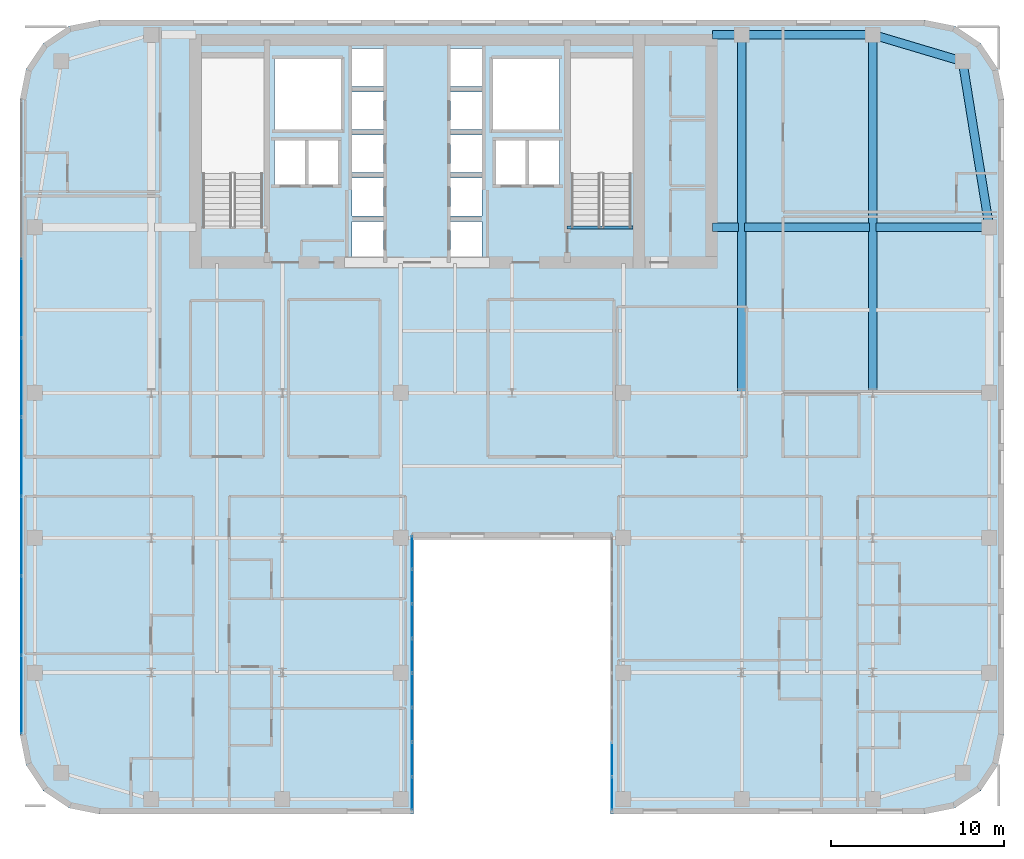
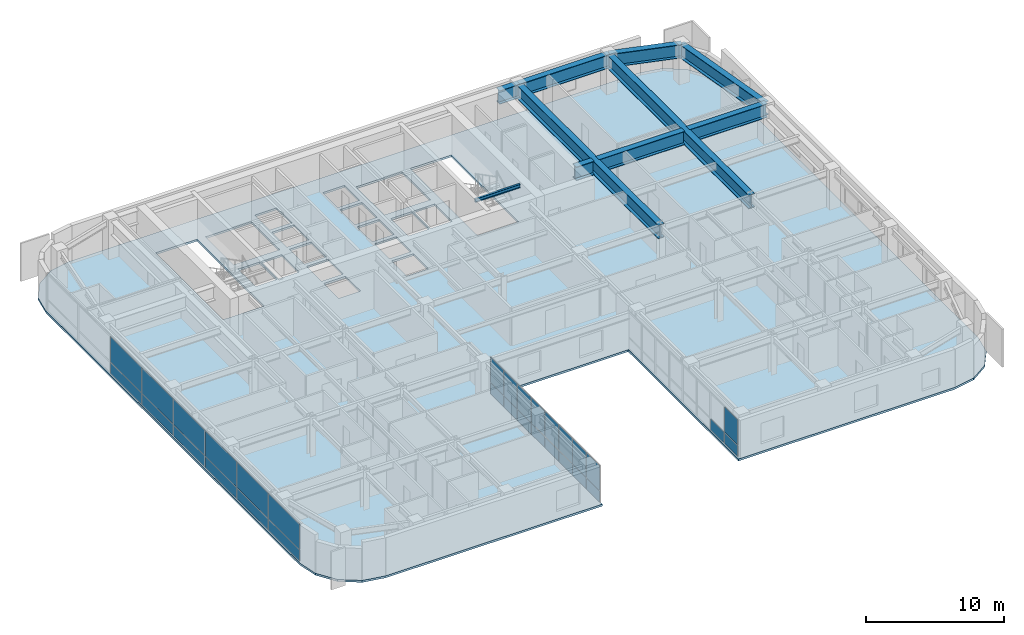
# One storey, part 22 of 30: 31 plates, 10 beams, 1 slab, 3 elements without a shape of their own.
"""IFC4 building model written with IfcOpenShell, lengths in metres."""

from ifc_helpers import new_model, si_unit, direction, frame, origin, origin_2d, place, context, subcontext, project, spatial, polyline, rectangle, i_section, outline, extrude, source, transform, mapped, material, layer, layer_set, material_profile, profile_set, type_object, type_shapes, element, aggregate, save


model = new_model("IFC4")

# Units and contexts
model_context = context("Model", 3, precision=1e-05, world=origin(), true_north=direction((0.0, 1.0)))
body_context = subcontext(model_context, "Body", "Model", "MODEL_VIEW")
ifc_project = project(units=[si_unit("LENGTHUNIT", "METRE"), si_unit("AREAUNIT", "SQUARE_METRE"), si_unit("VOLUMEUNIT", "CUBIC_METRE"), si_unit("PLANEANGLEUNIT", "RADIAN"), si_unit("MASSUNIT", "GRAM", prefix="KILO")], contexts=[model_context])

# Site, building, storey
site_placement = place(None, origin())
site = spatial("IfcSite", under=ifc_project, at=site_placement, CompositionType="ELEMENT")
building_placement = place(site_placement, origin())
building = spatial("IfcBuilding", under=site, at=building_placement, Name="Tolvann Quenvar Hotel", CompositionType="ELEMENT")
storey_placement = place(building_placement, frame((0.0, 0.0, 100.89990234375)))
storey = spatial("IfcBuildingStorey", under=building, at=storey_placement, Name="L25", CompositionType="ELEMENT", Elevation=100.89990234375)

# Beams
ifc_material_1 = material(Name="Steel Grade 350", Category="steel")
ifc_material_profile_1 = material_profile(ifc_material_1, i_section(OverallWidth=0.5, OverallDepth=1.199951171875, WebThickness=0.01611328125, FlangeThickness=0.0400390625, at=origin_2d()), Name="1200WB455")
ifc_profile_set_1 = profile_set([ifc_material_profile_1], Name="Steel Grade 350")
beam_type_1 = type_object("IfcBeamType", Name="BM_TG_1200WB455", PredefinedType="USERDEFINED", material=ifc_profile_set_1)
shared_shape_1 = source(origin(), body_context, "Body", "SweptSolid", [
    extrude(i_section(OverallWidth=0.5, OverallDepth=1.199951171875, WebThickness=0.01611328125, FlangeThickness=0.0400390625, at=origin_2d()), origin(), (0.0, 0.0, 1.0), 7.599853515625),
])
beam_1_placement = place(storey_placement, frame((49.39990234375, 45.14990234375, 2.77001953125), z_axis=(-1.0, 0.0, 0.0), x_axis=(0.0, -1.0, 0.0)))
element("IfcBeam", 1, at=beam_1_placement, inside=storey, type_object=beam_type_1, Name="BM-L25-FLK-E4", ObjectType="TRANSFER GIRDER", PredefinedType="USERDEFINED", context=body_context, shape_type="MappedRepresentation", body=[
    mapped(shared_shape_1, transform((0.0, 0.0, 0.0), x_axis=(1.0, 0.0, 0.0), y_axis=(0.0, 1.0, 0.0), z_axis=(0.0, 0.0, 1.0), scale=1.0)),
])
shared_shape_2 = source(origin(), body_context, "Body", "SweptSolid", [
    extrude(i_section(OverallWidth=0.5, OverallDepth=1.199951171875, WebThickness=0.01611328125, FlangeThickness=0.0400390625, at=origin_2d()), origin(), (0.0, 0.0, 1.0), 20.75),
])
for number, where, z_axis, x_axis, name in (
    (2, (41.800048828125, 24.39990234375, 2.77001953125), (0.0, 1.0, 0.0), (-1.0, 0.0, 0.0), "BM-L25-FLK-EH"),
    (3, (49.39990234375, 24.39990234375, 2.77001953125), (0.0, 1.0, 0.0), (-1.0, 0.0, 0.0), "BM-L25-FLK-EI"),
):
    element("IfcBeam", number, at=place(storey_placement, frame(where, z_axis=z_axis, x_axis=x_axis)), inside=storey, type_object=beam_type_1, Name=name, ObjectType="TRANSFER GIRDER", PredefinedType="USERDEFINED", context=body_context, shape_type="MappedRepresentation", body=[
        mapped(shared_shape_2, transform((0.0, 0.0, 0.0), x_axis=(1.0, 0.0, 0.0), y_axis=(0.0, 1.0, 0.0), z_axis=(0.0, 0.0, 1.0), scale=1.0)),
    ])
shared_shape_3 = source(origin(), body_context, "Body", "SweptSolid", [
    extrude(i_section(OverallWidth=0.5, OverallDepth=1.199951171875, WebThickness=0.01611328125, FlangeThickness=0.0400390625, at=origin_2d()), origin(), (0.0, 0.0, 1.0), 6.56982421875),
])
beam_2_placement = place(storey_placement, frame((49.580078125, 34.0, 2.77001953125), z_axis=(1.0, 0.0, 0.0), x_axis=(0.0, 1.0, 0.0)))
element("IfcBeam", 4, at=beam_2_placement, inside=storey, type_object=beam_type_1, Name="BM-L25-CTE-JD6C", ObjectType="TRANSFER GIRDER", PredefinedType="USERDEFINED", context=body_context, shape_type="MappedRepresentation", body=[
    mapped(shared_shape_3, transform((0.0, 0.0, 0.0), x_axis=(1.0, 0.0, 0.0), y_axis=(0.0, 1.0, 0.0), z_axis=(0.0, 0.0, 1.0), scale=1.0)),
])
shared_shape_4 = source(origin(), body_context, "Body", "SweptSolid", [
    extrude(i_section(OverallWidth=0.5, OverallDepth=1.199951171875, WebThickness=0.01611328125, FlangeThickness=0.0400390625, at=origin_2d()), origin(), (0.0, 0.0, 1.0), 9.724365234375),
])
beam_3_placement = place(storey_placement, frame((56.14990234375, 34.0, 2.77001953125), z_axis=(-0.159372939192, 0.987218449105, 0.0), x_axis=(-0.987218449105, -0.159372939192, 0.0)))
element("IfcBeam", 5, at=beam_3_placement, inside=storey, type_object=beam_type_1, Name="BM-L25-FLK-E2", ObjectType="TRANSFER GIRDER", PredefinedType="USERDEFINED", context=body_context, shape_type="MappedRepresentation", body=[
    mapped(shared_shape_4, transform((0.0, 0.0, 0.0), x_axis=(1.0, 0.0, 0.0), y_axis=(0.0, 1.0, 0.0), z_axis=(0.0, 0.0, 1.0), scale=1.0)),
])
shared_shape_5 = source(origin(), body_context, "Body", "SweptSolid", [
    extrude(i_section(OverallWidth=0.5, OverallDepth=1.199951171875, WebThickness=0.01611328125, FlangeThickness=0.0400390625, at=origin_2d()), origin(), (0.0, 0.0, 1.0), 5.42626953125),
])
beam_4_placement = place(storey_placement, frame((54.60009765625, 43.60009765625, 2.77001953125), z_axis=(-0.958344815522, 0.285613750654, 0.0), x_axis=(-0.285613750654, -0.958344815522, 0.0)))
element("IfcBeam", 6, at=beam_4_placement, inside=storey, type_object=beam_type_1, Name="BM-L25-FLK-E3", ObjectType="TRANSFER GIRDER", PredefinedType="USERDEFINED", context=body_context, shape_type="MappedRepresentation", body=[
    mapped(shared_shape_5, transform((0.0, 0.0, 0.0), x_axis=(1.0, 0.0, 0.0), y_axis=(0.0, 1.0, 0.0), z_axis=(0.0, 0.0, 1.0), scale=1.0)),
])
shared_shape_6 = source(origin(), body_context, "Body", "SweptSolid", [
    extrude(i_section(OverallWidth=0.5, OverallDepth=1.199951171875, WebThickness=0.01611328125, FlangeThickness=0.0400390625, at=origin_2d()), origin(), (0.0, 0.0, 1.0), 1.699951171875),
])
beam_5_placement = place(storey_placement, frame((40.10009765625, 45.14990234375, 2.77001953125), z_axis=(1.0, 0.0, 0.0), x_axis=(0.0, 1.0, 0.0)))
element("IfcBeam", 7, at=beam_5_placement, inside=storey, type_object=beam_type_1, Name="BM-L25-CTE-HN", ObjectType="TRANSFER GIRDER", PredefinedType="USERDEFINED", context=body_context, shape_type="MappedRepresentation", body=[
    mapped(shared_shape_6, transform((0.0, 0.0, 0.0), x_axis=(1.0, 0.0, 0.0), y_axis=(0.0, 1.0, 0.0), z_axis=(0.0, 0.0, 1.0), scale=1.0)),
])
shared_shape_7 = source(origin(), body_context, "Body", "SweptSolid", [
    extrude(i_section(OverallWidth=0.5, OverallDepth=1.199951171875, WebThickness=0.01611328125, FlangeThickness=0.0400390625, at=origin_2d()), origin(), (0.0, 0.0, 1.0), 1.52001953125),
])
beam_6_placement = place(storey_placement, frame((40.10009765625, 34.0, 2.77001953125), z_axis=(1.0, 0.0, 0.0), x_axis=(0.0, 1.0, 0.0)))
element("IfcBeam", 8, at=beam_6_placement, inside=storey, type_object=beam_type_1, Name="BM-L25-CTE-JD6A", ObjectType="TRANSFER GIRDER", PredefinedType="USERDEFINED", context=body_context, shape_type="MappedRepresentation", body=[
    mapped(shared_shape_7, transform((0.0, 0.0, 0.0), x_axis=(1.0, 0.0, 0.0), y_axis=(0.0, 1.0, 0.0), z_axis=(0.0, 0.0, 1.0), scale=1.0)),
])
shared_shape_8 = source(origin(), body_context, "Body", "SweptSolid", [
    extrude(i_section(OverallWidth=0.5, OverallDepth=1.199951171875, WebThickness=0.01611328125, FlangeThickness=0.0400390625, at=origin_2d()), origin(), (0.0, 0.0, 1.0), 7.239990234375),
])
type_shapes(beam_type_1, [shared_shape_1, shared_shape_2, shared_shape_3, shared_shape_4, shared_shape_5, shared_shape_6, shared_shape_7, shared_shape_8])
beam_7_placement = place(storey_placement, frame((41.97998046875, 34.0, 2.77001953125), z_axis=(1.0, 0.0, 0.0), x_axis=(0.0, 1.0, 0.0)))
element("IfcBeam", 9, at=beam_7_placement, inside=storey, type_object=beam_type_1, Name="BM-L25-CTE-JD6B", ObjectType="TRANSFER GIRDER", PredefinedType="USERDEFINED", context=body_context, shape_type="MappedRepresentation", body=[
    mapped(shared_shape_8, transform((0.0, 0.0, 0.0), x_axis=(1.0, 0.0, 0.0), y_axis=(0.0, 1.0, 0.0), z_axis=(0.0, 0.0, 1.0), scale=1.0)),
])
ifc_material_profile_2 = material_profile(ifc_material_1, i_section(OverallWidth=0.166015625, OverallDepth=0.306884765625, WebThickness=0.006591796875, FlangeThickness=0.01171875, FilletRadius=0.011474609375, at=origin_2d()), Name="310UB46")
ifc_profile_set_2 = profile_set([ifc_material_profile_2], Name="Steel Grade 350")
beam_type_2 = type_object("IfcBeamType", Name="BM_JOIST_310UB46", PredefinedType="JOIST", material=ifc_profile_set_2)
shared_shape_9 = source(origin(), body_context, "Body", "SweptSolid", [
    extrude(i_section(OverallWidth=0.166015625, OverallDepth=0.306884765625, WebThickness=0.006591796875, FlangeThickness=0.01171875, FilletRadius=0.011474609375, at=origin_2d()), origin(), (0.0, 0.0, 1.0), 3.800048828125),
])
type_shapes(beam_type_2, [shared_shape_9])
beam_8_placement = place(storey_placement, frame((31.699951171875, 33.97998046875, 3.216552734375), z_axis=(1.0, 0.0, 0.0), x_axis=(0.0, 1.0, 0.0)))
element("IfcBeam", 10, at=beam_8_placement, inside=storey, type_object=beam_type_2, Name="BM-HDR-STC2-L26", PredefinedType="JOIST", context=body_context, shape_type="MappedRepresentation", body=[
    mapped(shared_shape_9, transform((0.0, 0.0, 0.0), x_axis=(1.0, 0.0, 0.0), y_axis=(0.0, 1.0, 0.0), z_axis=(0.0, 0.0, 1.0), scale=1.0)),
])

# Slab
ifc_material_2 = material(Name="Concrete N40 (40 MPa)", Category="concrete")
ifc_layer_1 = layer(ifc_material_2, 0.179931640625)
ifc_layer_set_1 = layer_set([ifc_layer_1], Name="Concrete N40 (40 MPa)")
slab_type = type_object("IfcSlabType", Name="SLAB_TWR_180", PredefinedType="FLOOR", material=ifc_layer_set_1)
slab_placement = place(storey_placement, frame((0.0, 0.0, -0.179931640625)))
element("IfcSlab", 11, at=slab_placement, inside=storey, type_object=slab_type, Name="Level L25 Structural Floor Slab", PredefinedType="FLOOR", context=body_context, shape_type="SweptSolid", body=[
    extrude(outline(polyline([(0.0, 4.60009765625), (0.35009765625, 2.839599609375), (1.347412109375, 1.347412109375), (2.839599609375, 0.35009765625), (4.60009765625, 0.0), (22.800048828125, 0.0), (22.800048828125, 16.0), (34.199951171875, 16.0), (34.199951171875, 0.0), (52.39990234375, 0.0), (54.160400390625, 0.35009765625), (55.652587890625, 1.347412109375), (56.64990234375, 2.839599609375), (57.0, 4.60009765625), (57.0, 41.39990234375), (56.64990234375, 43.160400390625), (55.652587890625, 44.652587890625), (54.160400390625, 45.64990234375), (52.39990234375, 46.0), (4.60009765625, 46.0), (2.839599609375, 45.64990234375), (1.347412109375, 44.652587890625), (0.35009765625, 43.160400390625), (0.0, 41.39990234375), (0.0, 4.60009765625)]), holes=[polyline([(31.949951171875, 34.02490234375), (31.949951171875, 43.800048828125), (35.39990234375, 43.800048828125), (35.39990234375, 34.02490234375), (31.949951171875, 34.02490234375)]), polyline([(29.449951171875, 39.02001953125), (31.25, 39.02001953125), (31.25, 36.47998046875), (29.449951171875, 36.47998046875), (29.449951171875, 39.02001953125)]), polyline([(31.25, 43.75), (31.25, 39.64990234375), (27.39990234375, 39.64990234375), (27.39990234375, 43.75), (31.25, 43.75)]), polyline([(27.574951171875, 39.02001953125), (29.324951171875, 39.02001953125), (29.324951171875, 36.47998046875), (27.574951171875, 36.47998046875), (27.574951171875, 39.02001953125)]), polyline([(26.77001953125, 44.340087890625), (26.77001953125, 42.159912109375), (24.929931640625, 42.159912109375), (24.929931640625, 44.340087890625), (26.77001953125, 44.340087890625)]), polyline([(24.929931640625, 41.840087890625), (26.77001953125, 41.840087890625), (26.77001953125, 39.659912109375), (24.929931640625, 39.659912109375), (24.929931640625, 41.840087890625)]), polyline([(24.929931640625, 39.340087890625), (26.77001953125, 39.340087890625), (26.77001953125, 37.159912109375), (24.929931640625, 37.159912109375), (24.929931640625, 39.340087890625)]), polyline([(24.929931640625, 36.840087890625), (26.77001953125, 36.840087890625), (26.77001953125, 34.659912109375), (24.929931640625, 34.659912109375), (24.929931640625, 36.840087890625)]), polyline([(24.929931640625, 34.340087890625), (26.77001953125, 34.340087890625), (26.77001953125, 32.159912109375), (24.929931640625, 32.159912109375), (24.929931640625, 34.340087890625)]), polyline([(21.070068359375, 44.340087890625), (21.070068359375, 42.159912109375), (19.22998046875, 42.159912109375), (19.22998046875, 44.340087890625), (21.070068359375, 44.340087890625)]), polyline([(19.22998046875, 41.840087890625), (21.070068359375, 41.840087890625), (21.070068359375, 39.659912109375), (19.22998046875, 39.659912109375), (19.22998046875, 41.840087890625)]), polyline([(19.22998046875, 39.340087890625), (21.070068359375, 39.340087890625), (21.070068359375, 37.159912109375), (19.22998046875, 37.159912109375), (19.22998046875, 39.340087890625)]), polyline([(19.22998046875, 36.840087890625), (21.070068359375, 36.840087890625), (21.070068359375, 34.659912109375), (19.22998046875, 34.659912109375), (19.22998046875, 36.840087890625)]), polyline([(19.22998046875, 34.340087890625), (21.070068359375, 34.340087890625), (21.070068359375, 32.159912109375), (19.22998046875, 32.159912109375), (19.22998046875, 34.340087890625)]), polyline([(18.60009765625, 43.75), (18.60009765625, 39.64990234375), (14.75, 39.64990234375), (14.75, 43.75), (18.60009765625, 43.75)]), polyline([(16.675048828125, 39.02001953125), (18.425048828125, 39.02001953125), (18.425048828125, 36.47998046875), (16.675048828125, 36.47998046875), (16.675048828125, 39.02001953125)]), polyline([(14.75, 39.02001953125), (16.550048828125, 39.02001953125), (16.550048828125, 36.47998046875), (14.75, 36.47998046875), (14.75, 39.02001953125)]), polyline([(10.60009765625, 34.02490234375), (10.60009765625, 43.800048828125), (14.050048828125, 43.800048828125), (14.050048828125, 34.02490234375), (10.60009765625, 34.02490234375)])]), origin(), (0.0, 0.0, 1.0), 0.179931640625),
])

# Curtain wall, plates
ifc_material_3 = material(Name="Thermally broken anodised architectural aluminium 6063-T6 and laminated low-E glass", Category="aluminium")
ifc_layer_2 = layer(ifc_material_3, 0.179931640625)
ifc_layer_set_2 = layer_set([ifc_layer_2], Name="Thermally broken anodised architectural aluminium 6063-T6 and laminated low-E glass")
curtain_wall_type_1 = type_object("IfcCurtainWallType", Name="CW_SYS_SLOT_03", PredefinedType="USERDEFINED", material=ifc_layer_set_2)
curtain_wall_1_placement = place(storey_placement, origin())
curtain_wall_1 = element("IfcCurtainWall", 12, at=curtain_wall_1_placement, inside=storey, type_object=curtain_wall_type_1, Name="Curtain Wall CW-SLOT-03 (CWR-L25-E05)", ObjectType="UNITISED CURTAIN WALL", PredefinedType="USERDEFINED")
ifc_material_4 = material(Name="Low-iron laminated double glazing with solar-control coating", Category="glass")
ifc_layer_3 = layer(ifc_material_4, 0.028076171875)
ifc_layer_set_3 = layer_set([ifc_layer_3], Name="Low-iron laminated double glazing with solar-control coating")
plate_type = type_object("IfcPlateType", Name="CW_PAN_VISION_28", PredefinedType="CURTAIN_PANEL", material=ifc_layer_set_3)
shared_shape_10 = source(origin(), body_context, "Body", "SweptSolid", [
    extrude(rectangle(XDim=1.89501953125, YDim=0.028076171875, at=origin_2d()), origin(), (0.0, 0.0, 1.0), 0.9599609375),
])
plate_1_placement = place(storey_placement, frame((22.7099609375, 1.1923828125, 0.06005859375), z_axis=(0.0, 0.0, 1.0), x_axis=(0.0, 1.0, 0.0)))
plate_1 = element("IfcPlate", 13, at=plate_1_placement, type_object=plate_type, Name="CW-SLOT-03 panel 1.1", PredefinedType="CURTAIN_PANEL", context=body_context, shape_type="MappedRepresentation", body=[
    mapped(shared_shape_10, transform((0.0, 0.0, 0.0), x_axis=(1.0, 0.0, 0.0), y_axis=(0.0, 1.0, 0.0), z_axis=(0.0, 0.0, 1.0), scale=1.0)),
])
plate_2_placement = place(storey_placement, frame((22.7099609375, 15.157470703125, 0.06005859375), z_axis=(0.0, 0.0, 1.0), x_axis=(0.0, 1.0, 0.0)))
plate_2 = element("IfcPlate", 14, at=plate_2_placement, type_object=plate_type, Name="CW-SLOT-03 panel 8.1", PredefinedType="CURTAIN_PANEL", context=body_context, shape_type="MappedRepresentation", body=[
    mapped(shared_shape_10, transform((0.0, 0.0, 0.0), x_axis=(1.0, 0.0, 0.0), y_axis=(0.0, 1.0, 0.0), z_axis=(0.0, 0.0, 1.0), scale=1.0)),
])

# Curtain wall, plate
curtain_wall_2_placement = place(storey_placement, origin())
curtain_wall_2 = element("IfcCurtainWall", 15, at=curtain_wall_2_placement, inside=storey, type_object=curtain_wall_type_1, Name="Curtain Wall CW-SLOT-03 (CWR-L25-E07)", ObjectType="UNITISED CURTAIN WALL", PredefinedType="USERDEFINED")
plate_3_placement = place(storey_placement, frame((34.2900390625, 1.1923828125, 0.06005859375), z_axis=(0.0, 0.0, 1.0), x_axis=(0.0, -1.0, 0.0)))
plate_3 = element("IfcPlate", 16, at=plate_3_placement, type_object=plate_type, Name="CW-SLOT-03 panel 8.1", PredefinedType="CURTAIN_PANEL", context=body_context, shape_type="MappedRepresentation", body=[
    mapped(shared_shape_10, transform((0.0, 0.0, 0.0), x_axis=(1.0, 0.0, 0.0), y_axis=(0.0, 1.0, 0.0), z_axis=(0.0, 0.0, 1.0), scale=1.0)),
])

# Plate
shared_shape_11 = source(origin(), body_context, "Body", "SweptSolid", [
    extrude(rectangle(XDim=1.89501953125, YDim=0.028076171875, at=origin_2d()), origin(), (0.0, 0.0, 1.0), 2.22998046875),
])
plate_4_placement = place(storey_placement, frame((22.7099609375, 1.1923828125, 1.080078125), z_axis=(0.0, 0.0, 1.0), x_axis=(0.0, 1.0, 0.0)))
plate_4 = element("IfcPlate", 17, at=plate_4_placement, type_object=plate_type, Name="CW-SLOT-03 panel 1.2", PredefinedType="CURTAIN_PANEL", context=body_context, shape_type="MappedRepresentation", body=[
    mapped(shared_shape_11, transform((0.0, 0.0, 0.0), x_axis=(1.0, 0.0, 0.0), y_axis=(0.0, 1.0, 0.0), z_axis=(0.0, 0.0, 1.0), scale=1.0)),
])

plate_5_placement = place(storey_placement, frame((22.7099609375, 15.157470703125, 1.080078125), z_axis=(0.0, 0.0, 1.0), x_axis=(0.0, 1.0, 0.0)))
plate_5 = element("IfcPlate", 18, at=plate_5_placement, type_object=plate_type, Name="CW-SLOT-03 panel 8.2", PredefinedType="CURTAIN_PANEL", context=body_context, shape_type="MappedRepresentation", body=[
    mapped(shared_shape_11, transform((0.0, 0.0, 0.0), x_axis=(1.0, 0.0, 0.0), y_axis=(0.0, 1.0, 0.0), z_axis=(0.0, 0.0, 1.0), scale=1.0)),
])

plate_6_placement = place(storey_placement, frame((34.2900390625, 1.1923828125, 1.080078125), z_axis=(0.0, 0.0, 1.0), x_axis=(0.0, -1.0, 0.0)))
plate_6 = element("IfcPlate", 19, at=plate_6_placement, type_object=plate_type, Name="CW-SLOT-03 panel 8.2", PredefinedType="CURTAIN_PANEL", context=body_context, shape_type="MappedRepresentation", body=[
    mapped(shared_shape_11, transform((0.0, 0.0, 0.0), x_axis=(1.0, 0.0, 0.0), y_axis=(0.0, 1.0, 0.0), z_axis=(0.0, 0.0, 1.0), scale=1.0)),
])

shared_shape_12 = source(origin(), body_context, "Body", "SweptSolid", [
    extrude(rectangle(XDim=1.929931640625, YDim=0.028076171875, at=origin_2d()), origin(), (0.0, 0.0, 1.0), 0.9599609375),
])
plate_7_placement = place(storey_placement, frame((22.7099609375, 3.175048828125, 0.06005859375), z_axis=(0.0, 0.0, 1.0), x_axis=(0.0, 1.0, 0.0)))
plate_7 = element("IfcPlate", 20, at=plate_7_placement, type_object=plate_type, Name="CW-SLOT-03 panel 2.1", PredefinedType="CURTAIN_PANEL", context=body_context, shape_type="MappedRepresentation", body=[
    mapped(shared_shape_12, transform((0.0, 0.0, 0.0), x_axis=(1.0, 0.0, 0.0), y_axis=(0.0, 1.0, 0.0), z_axis=(0.0, 0.0, 1.0), scale=1.0)),
])

plate_8_placement = place(storey_placement, frame((22.7099609375, 5.175048828125, 0.06005859375), z_axis=(0.0, 0.0, 1.0), x_axis=(0.0, 1.0, 0.0)))
plate_8 = element("IfcPlate", 21, at=plate_8_placement, type_object=plate_type, Name="CW-SLOT-03 panel 3.1", PredefinedType="CURTAIN_PANEL", context=body_context, shape_type="MappedRepresentation", body=[
    mapped(shared_shape_12, transform((0.0, 0.0, 0.0), x_axis=(1.0, 0.0, 0.0), y_axis=(0.0, 1.0, 0.0), z_axis=(0.0, 0.0, 1.0), scale=1.0)),
])

plate_9_placement = place(storey_placement, frame((22.7099609375, 7.175048828125, 0.06005859375), z_axis=(0.0, 0.0, 1.0), x_axis=(0.0, 1.0, 0.0)))
plate_9 = element("IfcPlate", 22, at=plate_9_placement, type_object=plate_type, Name="CW-SLOT-03 panel 4.1", PredefinedType="CURTAIN_PANEL", context=body_context, shape_type="MappedRepresentation", body=[
    mapped(shared_shape_12, transform((0.0, 0.0, 0.0), x_axis=(1.0, 0.0, 0.0), y_axis=(0.0, 1.0, 0.0), z_axis=(0.0, 0.0, 1.0), scale=1.0)),
])

plate_10_placement = place(storey_placement, frame((22.7099609375, 9.175048828125, 0.06005859375), z_axis=(0.0, 0.0, 1.0), x_axis=(0.0, 1.0, 0.0)))
plate_10 = element("IfcPlate", 23, at=plate_10_placement, type_object=plate_type, Name="CW-SLOT-03 panel 5.1", PredefinedType="CURTAIN_PANEL", context=body_context, shape_type="MappedRepresentation", body=[
    mapped(shared_shape_12, transform((0.0, 0.0, 0.0), x_axis=(1.0, 0.0, 0.0), y_axis=(0.0, 1.0, 0.0), z_axis=(0.0, 0.0, 1.0), scale=1.0)),
])

plate_11_placement = place(storey_placement, frame((22.7099609375, 11.175048828125, 0.06005859375), z_axis=(0.0, 0.0, 1.0), x_axis=(0.0, 1.0, 0.0)))
plate_11 = element("IfcPlate", 24, at=plate_11_placement, type_object=plate_type, Name="CW-SLOT-03 panel 6.1", PredefinedType="CURTAIN_PANEL", context=body_context, shape_type="MappedRepresentation", body=[
    mapped(shared_shape_12, transform((0.0, 0.0, 0.0), x_axis=(1.0, 0.0, 0.0), y_axis=(0.0, 1.0, 0.0), z_axis=(0.0, 0.0, 1.0), scale=1.0)),
])

plate_12_placement = place(storey_placement, frame((22.7099609375, 13.175048828125, 0.06005859375), z_axis=(0.0, 0.0, 1.0), x_axis=(0.0, 1.0, 0.0)))
plate_12 = element("IfcPlate", 25, at=plate_12_placement, type_object=plate_type, Name="CW-SLOT-03 panel 7.1", PredefinedType="CURTAIN_PANEL", context=body_context, shape_type="MappedRepresentation", body=[
    mapped(shared_shape_12, transform((0.0, 0.0, 0.0), x_axis=(1.0, 0.0, 0.0), y_axis=(0.0, 1.0, 0.0), z_axis=(0.0, 0.0, 1.0), scale=1.0)),
])

plate_13_placement = place(storey_placement, frame((34.2900390625, 3.175048828125, 0.06005859375), z_axis=(0.0, 0.0, 1.0), x_axis=(0.0, -1.0, 0.0)))
plate_13 = element("IfcPlate", 26, at=plate_13_placement, type_object=plate_type, Name="CW-SLOT-03 panel 7.1", PredefinedType="CURTAIN_PANEL", context=body_context, shape_type="MappedRepresentation", body=[
    mapped(shared_shape_12, transform((0.0, 0.0, 0.0), x_axis=(1.0, 0.0, 0.0), y_axis=(0.0, 1.0, 0.0), z_axis=(0.0, 0.0, 1.0), scale=1.0)),
])

aggregate(curtain_wall_2, [plate_13, plate_3, plate_6])

shared_shape_13 = source(origin(), body_context, "Body", "SweptSolid", [
    extrude(rectangle(XDim=1.929931640625, YDim=0.028076171875, at=origin_2d()), origin(), (0.0, 0.0, 1.0), 2.22998046875),
])
plate_14_placement = place(storey_placement, frame((22.7099609375, 3.175048828125, 1.080078125), z_axis=(0.0, 0.0, 1.0), x_axis=(0.0, 1.0, 0.0)))
plate_14 = element("IfcPlate", 27, at=plate_14_placement, type_object=plate_type, Name="CW-SLOT-03 panel 2.2", PredefinedType="CURTAIN_PANEL", context=body_context, shape_type="MappedRepresentation", body=[
    mapped(shared_shape_13, transform((0.0, 0.0, 0.0), x_axis=(1.0, 0.0, 0.0), y_axis=(0.0, 1.0, 0.0), z_axis=(0.0, 0.0, 1.0), scale=1.0)),
])

plate_15_placement = place(storey_placement, frame((22.7099609375, 5.175048828125, 1.080078125), z_axis=(0.0, 0.0, 1.0), x_axis=(0.0, 1.0, 0.0)))
plate_15 = element("IfcPlate", 28, at=plate_15_placement, type_object=plate_type, Name="CW-SLOT-03 panel 3.2", PredefinedType="CURTAIN_PANEL", context=body_context, shape_type="MappedRepresentation", body=[
    mapped(shared_shape_13, transform((0.0, 0.0, 0.0), x_axis=(1.0, 0.0, 0.0), y_axis=(0.0, 1.0, 0.0), z_axis=(0.0, 0.0, 1.0), scale=1.0)),
])

plate_16_placement = place(storey_placement, frame((22.7099609375, 7.175048828125, 1.080078125), z_axis=(0.0, 0.0, 1.0), x_axis=(0.0, 1.0, 0.0)))
plate_16 = element("IfcPlate", 29, at=plate_16_placement, type_object=plate_type, Name="CW-SLOT-03 panel 4.2", PredefinedType="CURTAIN_PANEL", context=body_context, shape_type="MappedRepresentation", body=[
    mapped(shared_shape_13, transform((0.0, 0.0, 0.0), x_axis=(1.0, 0.0, 0.0), y_axis=(0.0, 1.0, 0.0), z_axis=(0.0, 0.0, 1.0), scale=1.0)),
])

plate_17_placement = place(storey_placement, frame((22.7099609375, 9.175048828125, 1.080078125), z_axis=(0.0, 0.0, 1.0), x_axis=(0.0, 1.0, 0.0)))
plate_17 = element("IfcPlate", 30, at=plate_17_placement, type_object=plate_type, Name="CW-SLOT-03 panel 5.2", PredefinedType="CURTAIN_PANEL", context=body_context, shape_type="MappedRepresentation", body=[
    mapped(shared_shape_13, transform((0.0, 0.0, 0.0), x_axis=(1.0, 0.0, 0.0), y_axis=(0.0, 1.0, 0.0), z_axis=(0.0, 0.0, 1.0), scale=1.0)),
])

plate_18_placement = place(storey_placement, frame((22.7099609375, 11.175048828125, 1.080078125), z_axis=(0.0, 0.0, 1.0), x_axis=(0.0, 1.0, 0.0)))
plate_18 = element("IfcPlate", 31, at=plate_18_placement, type_object=plate_type, Name="CW-SLOT-03 panel 6.2", PredefinedType="CURTAIN_PANEL", context=body_context, shape_type="MappedRepresentation", body=[
    mapped(shared_shape_13, transform((0.0, 0.0, 0.0), x_axis=(1.0, 0.0, 0.0), y_axis=(0.0, 1.0, 0.0), z_axis=(0.0, 0.0, 1.0), scale=1.0)),
])

plate_19_placement = place(storey_placement, frame((22.7099609375, 13.175048828125, 1.080078125), z_axis=(0.0, 0.0, 1.0), x_axis=(0.0, 1.0, 0.0)))
plate_19 = element("IfcPlate", 32, at=plate_19_placement, type_object=plate_type, Name="CW-SLOT-03 panel 7.2", PredefinedType="CURTAIN_PANEL", context=body_context, shape_type="MappedRepresentation", body=[
    mapped(shared_shape_13, transform((0.0, 0.0, 0.0), x_axis=(1.0, 0.0, 0.0), y_axis=(0.0, 1.0, 0.0), z_axis=(0.0, 0.0, 1.0), scale=1.0)),
])

aggregate(curtain_wall_1, [plate_1, plate_4, plate_7, plate_14, plate_8, plate_15, plate_9, plate_16, plate_10, plate_17, plate_11, plate_18, plate_12, plate_19, plate_2, plate_5])

# Curtain wall, plates
ifc_layer_4 = layer(ifc_material_3, 0.179931640625)
ifc_layer_set_4 = layer_set([ifc_layer_4], Name="Thermally broken anodised architectural aluminium 6063-T6 and laminated low-E glass")
curtain_wall_type_2 = type_object("IfcCurtainWallType", Name="CW_SYS_BAND_04", PredefinedType="USERDEFINED", material=ifc_layer_set_4)
curtain_wall_3_placement = place(storey_placement, origin())
curtain_wall_3 = element("IfcCurtainWall", 33, at=curtain_wall_3_placement, inside=storey, type_object=curtain_wall_type_2, Name="Curtain Wall CW-BAND-04 (CWR-L25-E23)", ObjectType="UNITISED CURTAIN WALL", PredefinedType="USERDEFINED")
shared_shape_14 = source(origin(), body_context, "Body", "SweptSolid", [
    extrude(rectangle(XDim=4.49072265625, YDim=0.028076171875, at=origin_2d()), origin(), (0.0, 0.0, 1.0), 0.9599609375),
])
plate_20_placement = place(storey_placement, frame((0.090087890625, 6.9326171875, 0.06005859375), z_axis=(0.0, 0.0, 1.0), x_axis=(0.0, -1.0, 0.0)))
plate_20 = element("IfcPlate", 34, at=plate_20_placement, type_object=plate_type, Name="CW-BAND-04 panel 8.1", PredefinedType="CURTAIN_PANEL", context=body_context, shape_type="MappedRepresentation", body=[
    mapped(shared_shape_14, transform((0.0, 0.0, 0.0), x_axis=(1.0, 0.0, 0.0), y_axis=(0.0, 1.0, 0.0), z_axis=(0.0, 0.0, 1.0), scale=1.0)),
])
shared_shape_15 = source(origin(), body_context, "Body", "SweptSolid", [
    extrude(rectangle(XDim=4.49072265625, YDim=0.028076171875, at=origin_2d()), origin(), (0.0, 0.0, 1.0), 2.22998046875),
])
plate_21_placement = place(storey_placement, frame((0.090087890625, 6.9326171875, 1.080078125), z_axis=(0.0, 0.0, 1.0), x_axis=(0.0, -1.0, 0.0)))
plate_21 = element("IfcPlate", 35, at=plate_21_placement, type_object=plate_type, Name="CW-BAND-04 panel 8.2", PredefinedType="CURTAIN_PANEL", context=body_context, shape_type="MappedRepresentation", body=[
    mapped(shared_shape_15, transform((0.0, 0.0, 0.0), x_axis=(1.0, 0.0, 0.0), y_axis=(0.0, 1.0, 0.0), z_axis=(0.0, 0.0, 1.0), scale=1.0)),
])
shared_shape_16 = source(origin(), body_context, "Body", "SweptSolid", [
    extrude(rectangle(XDim=4.525634765625, YDim=0.028076171875, at=origin_2d()), origin(), (0.0, 0.0, 1.0), 0.9599609375),
])
plate_22_placement = place(storey_placement, frame((0.090087890625, 29.8935546875, 0.06005859375), z_axis=(0.0, 0.0, 1.0), x_axis=(0.0, -1.0, 0.0)))
plate_22 = element("IfcPlate", 36, at=plate_22_placement, type_object=plate_type, Name="CW-BAND-04 panel 3.1", PredefinedType="CURTAIN_PANEL", context=body_context, shape_type="MappedRepresentation", body=[
    mapped(shared_shape_16, transform((0.0, 0.0, 0.0), x_axis=(1.0, 0.0, 0.0), y_axis=(0.0, 1.0, 0.0), z_axis=(0.0, 0.0, 1.0), scale=1.0)),
])
plate_23_placement = place(storey_placement, frame((0.090087890625, 25.2978515625, 0.06005859375), z_axis=(0.0, 0.0, 1.0), x_axis=(0.0, -1.0, 0.0)))
plate_23 = element("IfcPlate", 37, at=plate_23_placement, type_object=plate_type, Name="CW-BAND-04 panel 4.1", PredefinedType="CURTAIN_PANEL", context=body_context, shape_type="MappedRepresentation", body=[
    mapped(shared_shape_16, transform((0.0, 0.0, 0.0), x_axis=(1.0, 0.0, 0.0), y_axis=(0.0, 1.0, 0.0), z_axis=(0.0, 0.0, 1.0), scale=1.0)),
])
plate_24_placement = place(storey_placement, frame((0.090087890625, 20.7021484375, 0.06005859375), z_axis=(0.0, 0.0, 1.0), x_axis=(0.0, -1.0, 0.0)))
plate_24 = element("IfcPlate", 38, at=plate_24_placement, type_object=plate_type, Name="CW-BAND-04 panel 5.1", PredefinedType="CURTAIN_PANEL", context=body_context, shape_type="MappedRepresentation", body=[
    mapped(shared_shape_16, transform((0.0, 0.0, 0.0), x_axis=(1.0, 0.0, 0.0), y_axis=(0.0, 1.0, 0.0), z_axis=(0.0, 0.0, 1.0), scale=1.0)),
])
plate_25_placement = place(storey_placement, frame((0.090087890625, 16.1064453125, 0.06005859375), z_axis=(0.0, 0.0, 1.0), x_axis=(0.0, -1.0, 0.0)))
plate_25 = element("IfcPlate", 39, at=plate_25_placement, type_object=plate_type, Name="CW-BAND-04 panel 6.1", PredefinedType="CURTAIN_PANEL", context=body_context, shape_type="MappedRepresentation", body=[
    mapped(shared_shape_16, transform((0.0, 0.0, 0.0), x_axis=(1.0, 0.0, 0.0), y_axis=(0.0, 1.0, 0.0), z_axis=(0.0, 0.0, 1.0), scale=1.0)),
])
plate_26_placement = place(storey_placement, frame((0.090087890625, 11.5107421875, 0.06005859375), z_axis=(0.0, 0.0, 1.0), x_axis=(0.0, -1.0, 0.0)))
plate_26 = element("IfcPlate", 40, at=plate_26_placement, type_object=plate_type, Name="CW-BAND-04 panel 7.1", PredefinedType="CURTAIN_PANEL", context=body_context, shape_type="MappedRepresentation", body=[
    mapped(shared_shape_16, transform((0.0, 0.0, 0.0), x_axis=(1.0, 0.0, 0.0), y_axis=(0.0, 1.0, 0.0), z_axis=(0.0, 0.0, 1.0), scale=1.0)),
])
shared_shape_17 = source(origin(), body_context, "Body", "SweptSolid", [
    extrude(rectangle(XDim=4.525634765625, YDim=0.028076171875, at=origin_2d()), origin(), (0.0, 0.0, 1.0), 2.22998046875),
])
type_shapes(plate_type, [shared_shape_10, shared_shape_11, shared_shape_12, shared_shape_13, shared_shape_14, shared_shape_15, shared_shape_16, shared_shape_17])
plate_27_placement = place(storey_placement, frame((0.090087890625, 29.8935546875, 1.080078125), z_axis=(0.0, 0.0, 1.0), x_axis=(0.0, -1.0, 0.0)))
plate_27 = element("IfcPlate", 41, at=plate_27_placement, type_object=plate_type, Name="CW-BAND-04 panel 3.2", PredefinedType="CURTAIN_PANEL", context=body_context, shape_type="MappedRepresentation", body=[
    mapped(shared_shape_17, transform((0.0, 0.0, 0.0), x_axis=(1.0, 0.0, 0.0), y_axis=(0.0, 1.0, 0.0), z_axis=(0.0, 0.0, 1.0), scale=1.0)),
])
plate_28_placement = place(storey_placement, frame((0.090087890625, 25.2978515625, 1.080078125), z_axis=(0.0, 0.0, 1.0), x_axis=(0.0, -1.0, 0.0)))
plate_28 = element("IfcPlate", 42, at=plate_28_placement, type_object=plate_type, Name="CW-BAND-04 panel 4.2", PredefinedType="CURTAIN_PANEL", context=body_context, shape_type="MappedRepresentation", body=[
    mapped(shared_shape_17, transform((0.0, 0.0, 0.0), x_axis=(1.0, 0.0, 0.0), y_axis=(0.0, 1.0, 0.0), z_axis=(0.0, 0.0, 1.0), scale=1.0)),
])
plate_29_placement = place(storey_placement, frame((0.090087890625, 20.7021484375, 1.080078125), z_axis=(0.0, 0.0, 1.0), x_axis=(0.0, -1.0, 0.0)))
plate_29 = element("IfcPlate", 43, at=plate_29_placement, type_object=plate_type, Name="CW-BAND-04 panel 5.2", PredefinedType="CURTAIN_PANEL", context=body_context, shape_type="MappedRepresentation", body=[
    mapped(shared_shape_17, transform((0.0, 0.0, 0.0), x_axis=(1.0, 0.0, 0.0), y_axis=(0.0, 1.0, 0.0), z_axis=(0.0, 0.0, 1.0), scale=1.0)),
])
plate_30_placement = place(storey_placement, frame((0.090087890625, 16.1064453125, 1.080078125), z_axis=(0.0, 0.0, 1.0), x_axis=(0.0, -1.0, 0.0)))
plate_30 = element("IfcPlate", 44, at=plate_30_placement, type_object=plate_type, Name="CW-BAND-04 panel 6.2", PredefinedType="CURTAIN_PANEL", context=body_context, shape_type="MappedRepresentation", body=[
    mapped(shared_shape_17, transform((0.0, 0.0, 0.0), x_axis=(1.0, 0.0, 0.0), y_axis=(0.0, 1.0, 0.0), z_axis=(0.0, 0.0, 1.0), scale=1.0)),
])
plate_31_placement = place(storey_placement, frame((0.090087890625, 11.5107421875, 1.080078125), z_axis=(0.0, 0.0, 1.0), x_axis=(0.0, -1.0, 0.0)))
plate_31 = element("IfcPlate", 45, at=plate_31_placement, type_object=plate_type, Name="CW-BAND-04 panel 7.2", PredefinedType="CURTAIN_PANEL", context=body_context, shape_type="MappedRepresentation", body=[
    mapped(shared_shape_17, transform((0.0, 0.0, 0.0), x_axis=(1.0, 0.0, 0.0), y_axis=(0.0, 1.0, 0.0), z_axis=(0.0, 0.0, 1.0), scale=1.0)),
])
aggregate(curtain_wall_3, [plate_22, plate_27, plate_23, plate_28, plate_24, plate_29, plate_25, plate_30, plate_26, plate_31, plate_20, plate_21])

save(model, "model.ifc")
